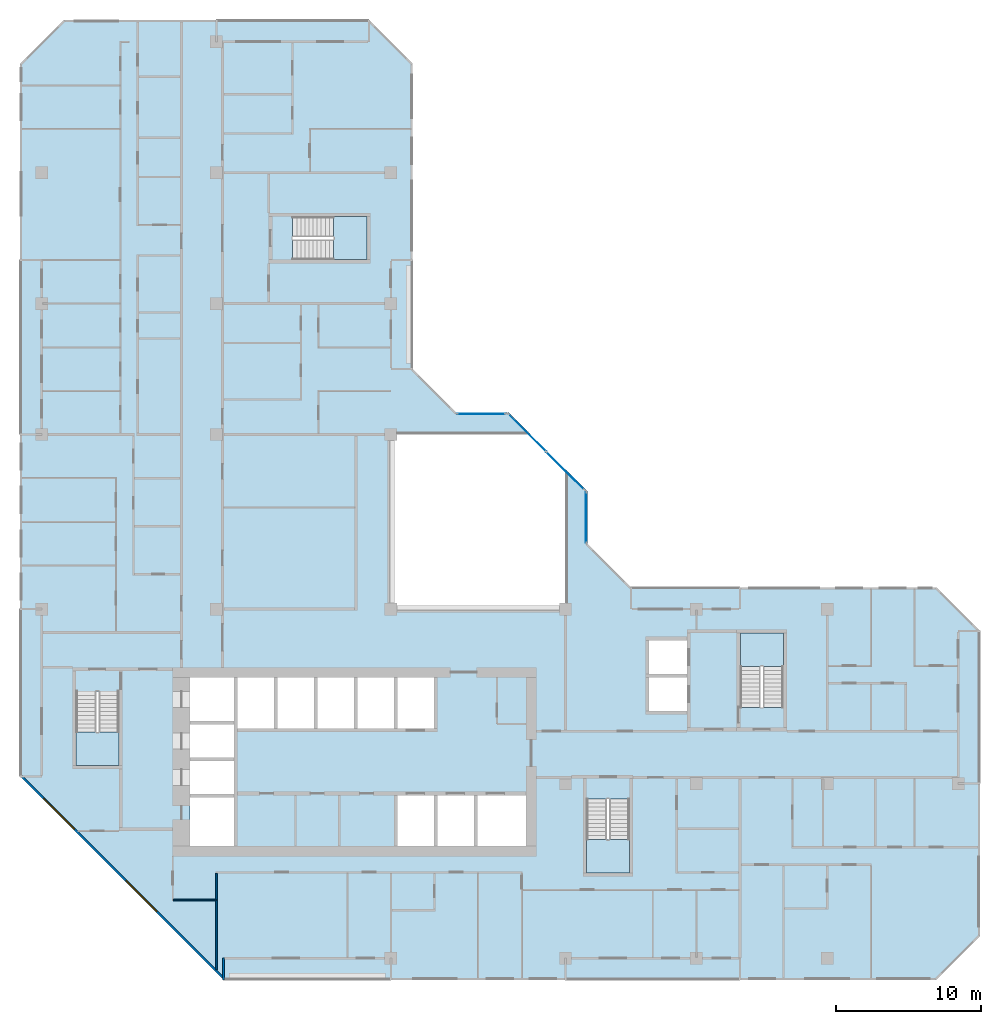
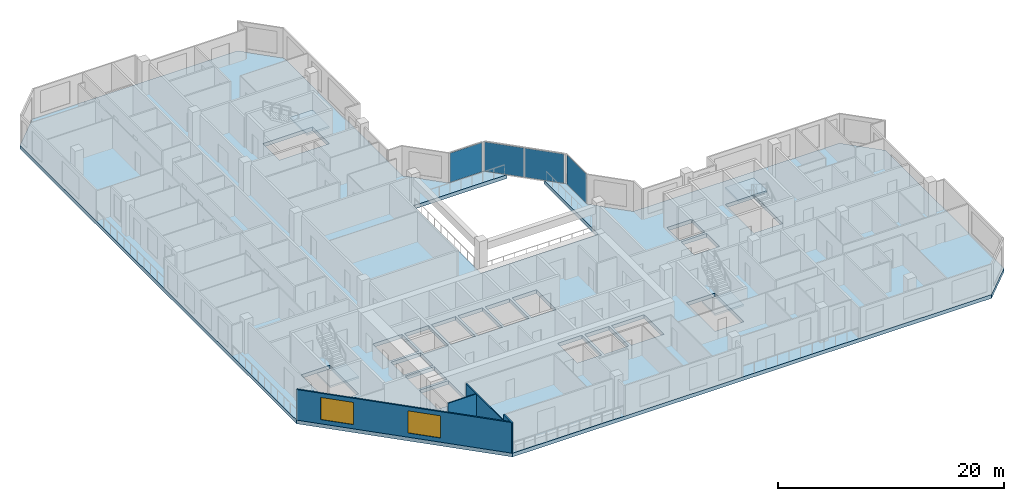
# One storey, part 3 of 15: 5 slabs, 4 plates, 4 walls, 2 windows, 2 openings, 7 elements without a shape of their own.
"""IFC4 building model written with IfcOpenShell, lengths in metres."""

from ifc_helpers import new_model, si_unit, direction, frame, frame_2d, origin, origin_2d, place, context, subcontext, project, spatial, polyline, rectangle, outline, extrude, material, layer, layer_set, type_object, element, fill, aggregate, save


model = new_model("IFC4")

# Units and contexts
model_context = context("Model", 3, precision=1e-05, world=origin(), true_north=direction((0.0, 1.0)))
body_context = subcontext(model_context, "Body", "Model", "MODEL_VIEW")
ifc_project = project(units=[si_unit("LENGTHUNIT", "METRE"), si_unit("AREAUNIT", "SQUARE_METRE"), si_unit("VOLUMEUNIT", "CUBIC_METRE"), si_unit("PLANEANGLEUNIT", "RADIAN"), si_unit("MASSUNIT", "GRAM", prefix="KILO")], contexts=[model_context])

# Site, building, storey
site_placement = place(None, origin())
site = spatial("IfcSite", under=ifc_project, at=site_placement, CompositionType="ELEMENT")
building_placement = place(site_placement, origin())
building = spatial("IfcBuilding", under=site, at=building_placement, Name="Chenar Terraces", CompositionType="ELEMENT")
storey_placement = place(building_placement, frame((0.0, 0.0, 252.89990234375)))
storey = spatial("IfcBuildingStorey", under=building, at=storey_placement, Name="L60", CompositionType="ELEMENT", Elevation=252.89990234375)

# Curtain wall, plate
ifc_material_1 = material(Name="Aluminium framed glazing", Category="aluminium")
ifc_layer_1 = layer(ifc_material_1, 0.14990234375)
ifc_layer_set_1 = layer_set([ifc_layer_1], Name="Aluminium framed glazing")
curtain_wall_type = type_object("IfcCurtainWallType", Name="Atrium mid-zone curtain wall", PredefinedType="NOTDEFINED", material=ifc_layer_set_1)
placement_1 = place(storey_placement, origin())
curtain_wall_1 = element("IfcCurtainWall", 1, at=placement_1, inside=storey, type_object=curtain_wall_type, Name="Atrium mid-zone curtain wall", PredefinedType="NOTDEFINED")
ifc_material_2 = material(Name="Low emissivity laminated glass, solar control coating", Category="glass")
ifc_layer_2 = layer(ifc_material_2, 0.031982421875)
ifc_layer_set_2 = layer_set([ifc_layer_2], Name="Low emissivity laminated glass, solar control coating")
plate_type = type_object("IfcPlateType", Name="Atrium mid-zone glazing panel 32", PredefinedType="CURTAIN_PANEL", material=ifc_layer_set_2)
plate_1_placement = place(storey_placement, frame((37.425048828125, 30.300048828125, 0.0703125), z_axis=(0.0, 0.0, 1.0), x_axis=(0.0, 1.0, 0.0)))
plate_1 = element("IfcPlate", 2, at=plate_1_placement, type_object=plate_type, Name="CW7-1 panel 1.1", PredefinedType="CURTAIN_PANEL", context=body_context, shape_type="SweptSolid", body=[
    extrude(rectangle(XDim=3.4599609375, YDim=0.031982421875, at=origin_2d()), origin(), (0.0, 0.0, 1.0), 3.159912109375),
])
aggregate(curtain_wall_1, [plate_1])

# Curtain wall, plates
curtain_wall_2 = element("IfcCurtainWall", 3, at=placement_1, inside=storey, type_object=curtain_wall_type, Name="Atrium mid-zone curtain wall", PredefinedType="NOTDEFINED")
plate_2_placement = place(storey_placement, frame((35.978515625, 33.515380859375, 0.0703125), z_axis=(0.0, 0.0, 1.0), x_axis=(-0.707106781187, 0.707106781187, 0.0)))
plate_2 = element("IfcPlate", 4, at=plate_2_placement, type_object=plate_type, Name="CW7-2 panel 1.1", PredefinedType="CURTAIN_PANEL", context=body_context, shape_type="SweptSolid", body=[
    extrude(rectangle(XDim=3.61328125, YDim=0.031982421875, at=origin_2d()), origin(), (0.0, 0.0, 1.0), 3.159912109375),
])
plate_3_placement = place(storey_placement, frame((33.3740234375, 36.119873046875, 0.0703125), z_axis=(0.0, 0.0, 1.0), x_axis=(-0.707106781187, 0.707106781187, 0.0)))
plate_3 = element("IfcPlate", 5, at=plate_3_placement, type_object=plate_type, Name="CW7-2 panel 2.1", PredefinedType="CURTAIN_PANEL", context=body_context, shape_type="SweptSolid", body=[
    extrude(rectangle(XDim=3.61328125, YDim=0.031982421875, at=origin_2d()), origin(), (0.0, 0.0, 1.0), 3.159912109375),
])
aggregate(curtain_wall_2, [plate_2, plate_3])

# Curtain wall, plate
curtain_wall_3 = element("IfcCurtainWall", 6, at=placement_1, inside=storey, type_object=curtain_wall_type, Name="Atrium mid-zone curtain wall", PredefinedType="NOTDEFINED")
plate_4_placement = place(storey_placement, frame((30.199951171875, 37.425048828125, 0.0703125), z_axis=(0.0, 0.0, 1.0), x_axis=(-1.0, 0.0, 0.0)))
plate_4 = element("IfcPlate", 7, at=plate_4_placement, type_object=plate_type, Name="CW7-3 panel 1.1", PredefinedType="CURTAIN_PANEL", context=body_context, shape_type="SweptSolid", body=[
    extrude(rectangle(XDim=3.260009765625, YDim=0.031982421875, at=origin_2d()), origin(), (0.0, 0.0, 1.0), 3.159912109375),
])
aggregate(curtain_wall_3, [plate_4])

# Stair, slab
ifc_material_3 = material(Name="Reinforced concrete C40/50", Category="concrete")
stair_type = type_object("IfcStairType", Name="Core stair 1400 half-turn", PredefinedType="HALF_TURN_STAIR", material=ifc_material_3)
stair_1 = element("IfcStair", 8, at=placement_1, inside=storey, type_object=stair_type, Name="L60 Stair 1", PredefinedType="HALF_TURN_STAIR")
ifc_material_4 = material(Name="Reinforced concrete C40/50", Category="concrete")
ifc_layer_3 = layer(ifc_material_4, 0.199951171875)
ifc_layer_set_3 = layer_set([ifc_layer_3], Name="Reinforced concrete C40/50")
slab_type_1 = type_object("IfcSlabType", Name="Core stair landing 200", PredefinedType="LANDING", material=ifc_layer_set_3)
placement_2 = place(storey_placement, frame((0.0, 0.0, 1.675048828125)))
slab_1 = element("IfcSlab", 9, at=placement_2, type_object=slab_type_1, Name="ST1 landing 1", PredefinedType="LANDING", context=body_context, shape_type="SweptSolid", body=[
    extrude(outline(polyline([(2.35009765625, 15.550048828125), (2.35009765625, 13.25), (5.300048828125, 13.25), (5.300048828125, 15.550048828125), (2.35009765625, 15.550048828125)])), origin(), (0.0, 0.0, 1.0), 0.199951171875),
])
aggregate(stair_1, [slab_1])

stair_2 = element("IfcStair", 10, at=placement_1, inside=storey, type_object=stair_type, Name="L60 Stair 2", PredefinedType="HALF_TURN_STAIR")
slab_2 = element("IfcSlab", 11, at=placement_2, type_object=slab_type_1, Name="ST2 landing 1", PredefinedType="LANDING", context=body_context, shape_type="SweptSolid", body=[
    extrude(outline(polyline([(37.449951171875, 8.14990234375), (37.449951171875, 5.85009765625), (40.39990234375, 5.85009765625), (40.39990234375, 8.14990234375), (37.449951171875, 8.14990234375)])), origin(), (0.0, 0.0, 1.0), 0.199951171875),
])
aggregate(stair_2, [slab_2])

stair_3 = element("IfcStair", 12, at=placement_1, inside=storey, type_object=stair_type, Name="L60 Stair 3", PredefinedType="HALF_TURN_STAIR")
slab_3 = element("IfcSlab", 13, at=placement_2, type_object=slab_type_1, Name="ST3 landing 1", PredefinedType="LANDING", context=body_context, shape_type="SweptSolid", body=[
    extrude(outline(polyline([(50.97509765625, 20.050048828125), (50.97509765625, 22.35009765625), (48.02490234375, 22.35009765625), (48.02490234375, 20.050048828125), (50.97509765625, 20.050048828125)])), origin(), (0.0, 0.0, 1.0), 0.199951171875),
])
aggregate(stair_3, [slab_3])

stair_4 = element("IfcStair", 14, at=placement_1, inside=storey, type_object=stair_type, Name="L60 Stair 4", PredefinedType="HALF_TURN_STAIR")
slab_4 = element("IfcSlab", 15, at=placement_2, type_object=slab_type_1, Name="ST4 landing 1", PredefinedType="LANDING", context=body_context, shape_type="SweptSolid", body=[
    extrude(outline(polyline([(20.050048828125, 48.02490234375), (22.35009765625, 48.02490234375), (22.35009765625, 50.97509765625), (20.050048828125, 50.97509765625), (20.050048828125, 48.02490234375)])), origin(), (0.0, 0.0, 1.0), 0.199951171875),
])
aggregate(stair_4, [slab_4])

# Slab
ifc_material_5 = material(Name="Concrete C40/50", Category="concrete")
ifc_layer_4 = layer(ifc_material_5, 0.39990234375)
ifc_layer_set_4 = layer_set([ifc_layer_4], Name="Concrete C40/50")
slab_type_2 = type_object("IfcSlabType", Name="Floor slab 400 Concrete C40/50", PredefinedType="FLOOR", material=ifc_layer_set_4)
slab_5_placement = place(storey_placement, frame((0.0, 0.0, -0.39990234375)))
element("IfcSlab", 16, at=slab_5_placement, inside=storey, type_object=slab_type_2, Name="Floor slab L60", PredefinedType="FLOOR", context=body_context, shape_type="SweptSolid", body=[
    extrude(outline(polyline([(64.5, 22.5), (64.5, 1.5), (61.5, -1.5), (12.5, -1.5), (-1.5, 12.5), (-1.5, 61.5), (1.5, 64.5), (22.5, 64.5), (25.5, 61.5), (25.5, 40.5), (28.5, 37.5), (32.10009765625, 37.5), (33.60009765625, 36.0), (24.0, 36.0), (24.0, 24.0), (36.0, 24.0), (36.0, 33.60009765625), (37.5, 32.10009765625), (37.5, 28.5), (40.5, 25.5), (61.5, 25.5), (64.5, 22.5)]), holes=[polyline([(13.199951171875, 11.050048828125), (10.199951171875, 11.050048828125), (10.199951171875, 7.699951171875), (13.199951171875, 7.699951171875), (13.199951171875, 11.050048828125)]), polyline([(13.199951171875, 13.550048828125), (10.199951171875, 13.550048828125), (10.199951171875, 11.300048828125), (13.199951171875, 11.300048828125), (13.199951171875, 13.550048828125)]), polyline([(13.199951171875, 16.050048828125), (10.199951171875, 16.050048828125), (10.199951171875, 13.800048828125), (13.199951171875, 13.800048828125), (13.199951171875, 16.050048828125)]), polyline([(2.35009765625, 13.25), (5.300048828125, 13.25), (5.300048828125, 18.35009765625), (2.35009765625, 18.35009765625), (2.35009765625, 13.25)]), polyline([(15.949951171875, 19.300048828125), (13.449951171875, 19.300048828125), (13.449951171875, 15.800048828125), (15.949951171875, 15.800048828125), (15.949951171875, 19.300048828125)]), polyline([(18.699951171875, 19.300048828125), (16.199951171875, 19.300048828125), (16.199951171875, 15.800048828125), (18.699951171875, 15.800048828125), (18.699951171875, 19.300048828125)]), polyline([(21.449951171875, 19.300048828125), (18.949951171875, 19.300048828125), (18.949951171875, 15.800048828125), (21.449951171875, 15.800048828125), (21.449951171875, 19.300048828125)]), polyline([(24.199951171875, 15.800048828125), (24.199951171875, 19.300048828125), (21.699951171875, 19.300048828125), (21.699951171875, 15.800048828125), (24.199951171875, 15.800048828125)]), polyline([(13.199951171875, 16.300048828125), (13.199951171875, 19.300048828125), (10.199951171875, 19.300048828125), (10.199951171875, 16.300048828125), (13.199951171875, 16.300048828125)]), polyline([(22.35009765625, 48.02490234375), (22.35009765625, 50.97509765625), (17.25, 50.97509765625), (17.25, 48.02490234375), (22.35009765625, 48.02490234375)]), polyline([(37.449951171875, 5.85009765625), (40.39990234375, 5.85009765625), (40.39990234375, 10.949951171875), (37.449951171875, 10.949951171875), (37.449951171875, 5.85009765625)]), polyline([(26.949951171875, 11.199951171875), (24.449951171875, 11.199951171875), (24.449951171875, 7.699951171875), (26.949951171875, 7.699951171875), (26.949951171875, 11.199951171875)]), polyline([(29.699951171875, 7.699951171875), (29.699951171875, 11.199951171875), (27.199951171875, 11.199951171875), (27.199951171875, 7.699951171875), (29.699951171875, 7.699951171875)]), polyline([(33.300048828125, 7.699951171875), (33.300048828125, 11.199951171875), (29.949951171875, 11.199951171875), (29.949951171875, 7.699951171875), (33.300048828125, 7.699951171875)]), polyline([(26.949951171875, 19.300048828125), (24.449951171875, 19.300048828125), (24.449951171875, 15.800048828125), (26.949951171875, 15.800048828125), (26.949951171875, 19.300048828125)]), polyline([(44.35009765625, 19.300048828125), (41.75, 19.300048828125), (41.75, 17.0), (44.35009765625, 17.0), (44.35009765625, 19.300048828125)]), polyline([(50.97509765625, 22.35009765625), (48.02490234375, 22.35009765625), (48.02490234375, 17.25), (50.97509765625, 17.25), (50.97509765625, 22.35009765625)]), polyline([(44.35009765625, 19.550048828125), (44.35009765625, 21.85009765625), (41.75, 21.85009765625), (41.75, 19.550048828125), (44.35009765625, 19.550048828125)])]), origin(), (0.0, 0.0, 1.0), 0.39990234375),
])

# Walls
ifc_material_6 = material(Name="Gypsum board on steel studs", Category="steel")
ifc_layer_5 = layer(ifc_material_6, 0.10009765625)
ifc_layer_set_5 = layer_set([ifc_layer_5], Name="Gypsum board on steel studs")
wall_type_1 = type_object("IfcWallType", Name="Gypsum partition 100", PredefinedType="PARTITIONING", material=ifc_layer_set_5)
wall_1_placement = place(storey_placement, frame((9.050048828125, 4.0, 0.0), z_axis=(0.0, 0.0, 1.0), x_axis=(1.0, 0.0, 0.0)))
element("IfcWall", 17, at=wall_1_placement, inside=storey, type_object=wall_type_1, Name="Partition L60-032", PredefinedType="PARTITIONING", context=body_context, shape_type="SweptSolid", body=[
    extrude(rectangle(XDim=2.89990234375, YDim=0.10009765625, at=frame_2d((1.449951171875, 0.0))), origin(), (0.0, 0.0, 1.0), 3.300048828125),
])
wall_2_placement = place(storey_placement, frame((12.0, -0.787841796875, 0.0), z_axis=(0.0, 0.0, 1.0), x_axis=(0.0, 1.0, 0.0)))
element("IfcWall", 18, at=wall_2_placement, inside=storey, type_object=wall_type_1, Name="Partition L60-035", PredefinedType="PARTITIONING", context=body_context, shape_type="SweptSolid", body=[
    extrude(rectangle(XDim=6.61279296875, YDim=0.10009765625, at=frame_2d((3.306396484375, 0.0))), origin(), (0.0, 0.0, 1.0), 3.300048828125),
])
ifc_material_7 = material(Name="Terracotta cladding on insulated backing", Category="masonry")
ifc_layer_6 = layer(ifc_material_7, 0.14990234375)
ifc_layer_set_6 = layer_set([ifc_layer_6], Name="Terracotta cladding on insulated backing")
wall_type_2 = type_object("IfcWallType", Name="Loggia return wall 150", PredefinedType="SOLIDWALL", material=ifc_layer_set_6)
wall_3_placement = place(storey_placement, frame((12.5, -1.5, 0.0), z_axis=(0.0, 0.0, 1.0), x_axis=(0.0, 1.0, 0.0)))
element("IfcWall", 19, at=wall_3_placement, inside=storey, type_object=wall_type_2, Name="Loggia return wall", PredefinedType="SOLIDWALL", context=body_context, shape_type="SweptSolid", body=[
    extrude(rectangle(XDim=1.5, YDim=0.14990234375, at=frame_2d((0.75, 0.0))), origin(), (0.0, 0.0, 1.0), 3.300048828125),
])

# Wall, openings, windows
ifc_material_8 = material(Name="Terracotta cladding on insulated backing", Category="masonry")
ifc_layer_7 = layer(ifc_material_8, 0.14990234375)
ifc_layer_set_7 = layer_set([ifc_layer_7], Name="Terracotta cladding on insulated backing")
wall_type_3 = type_object("IfcWallType", Name="Terracotta rainscreen wall 150", PredefinedType="SOLIDWALL", material=ifc_layer_set_7)
wall_4_placement = place(storey_placement, frame((-1.447021484375, 12.552978515625, 0.0), z_axis=(0.0, 0.0, 1.0), x_axis=(0.707106781187, -0.707106781187, 0.0)))
wall_4 = element("IfcWall", 20, at=wall_4_placement, inside=storey, type_object=wall_type_3, Name="Terracotta rainscreen wall", PredefinedType="SOLIDWALL", context=body_context, shape_type="SweptSolid", body=[
    extrude(rectangle(XDim=19.799072265625, YDim=0.14990234375, at=frame_2d((9.8994140625, 0.0))), origin(), (0.0, 0.0, 1.0), 3.300048828125),
])
opening_1_placement = place(wall_4_placement, frame((2.21240234375, 0.0, 0.449951171875)))
opening_1 = element("IfcOpeningElement", 21, at=opening_1_placement, cuts=wall_4, Name="Opening W300x240", PredefinedType="OPENING", context=body_context, shape_type="SweptSolid", body=[
    extrude(rectangle(XDim=3.0, YDim=2.39990234375, at=frame_2d((1.5, 1.199951171875))), frame((0.0, 0.0849609375, 0.0), z_axis=(0.0, -1.0, 0.0), x_axis=(1.0, 0.0, 0.0)), (0.0, 0.0, 1.0), 0.169921875),
])
opening_2_placement = place(wall_4_placement, frame((10.215576171875, 0.0, 0.449951171875)))
opening_2 = element("IfcOpeningElement", 22, at=opening_2_placement, cuts=wall_4, Name="Opening W300x240", PredefinedType="OPENING", context=body_context, shape_type="SweptSolid", body=[
    extrude(rectangle(XDim=3.0, YDim=2.39990234375, at=frame_2d((1.5, 1.199951171875))), frame((0.0, 0.0849609375, 0.0), z_axis=(0.0, -1.0, 0.0), x_axis=(1.0, 0.0, 0.0)), (0.0, 0.0, 1.0), 0.169921875),
])
ifc_material_9 = material(Name="Low emissivity double glazing, aluminium frame", Category="aluminium")
window_type = type_object("IfcWindowType", Name="Fixed light 3000 x 2400", PartitioningType="SINGLE_PANEL", PredefinedType="WINDOW", material=ifc_material_9)
window_1_placement = place(opening_1_placement, origin())
window_1 = element("IfcWindow", 23, at=window_1_placement, inside=storey, type_object=window_type, Name="Window", OverallHeight=2.39990234375, OverallWidth=3.0, PartitioningType="SINGLE_PANEL", PredefinedType="WINDOW", context=body_context, shape_type="SweptSolid", body=[
    extrude(rectangle(XDim=3.0, YDim=2.39990234375, at=frame_2d((1.5, 1.199951171875))), frame((0.0, 0.030029296875, 0.0), z_axis=(0.0, -1.0, 0.0), x_axis=(1.0, 0.0, 0.0)), (0.0, 0.0, 1.0), 0.06005859375),
])
fill(opening_1, window_1)
window_2_placement = place(opening_2_placement, origin())
window_2 = element("IfcWindow", 24, at=window_2_placement, inside=storey, type_object=window_type, Name="Window", OverallHeight=2.39990234375, OverallWidth=3.0, PartitioningType="SINGLE_PANEL", PredefinedType="WINDOW", context=body_context, shape_type="SweptSolid", body=[
    extrude(rectangle(XDim=3.0, YDim=2.39990234375, at=frame_2d((1.5, 1.199951171875))), frame((0.0, 0.030029296875, 0.0), z_axis=(0.0, -1.0, 0.0), x_axis=(1.0, 0.0, 0.0)), (0.0, 0.0, 1.0), 0.06005859375),
])
fill(opening_2, window_2)

save(model, "model.ifc")
